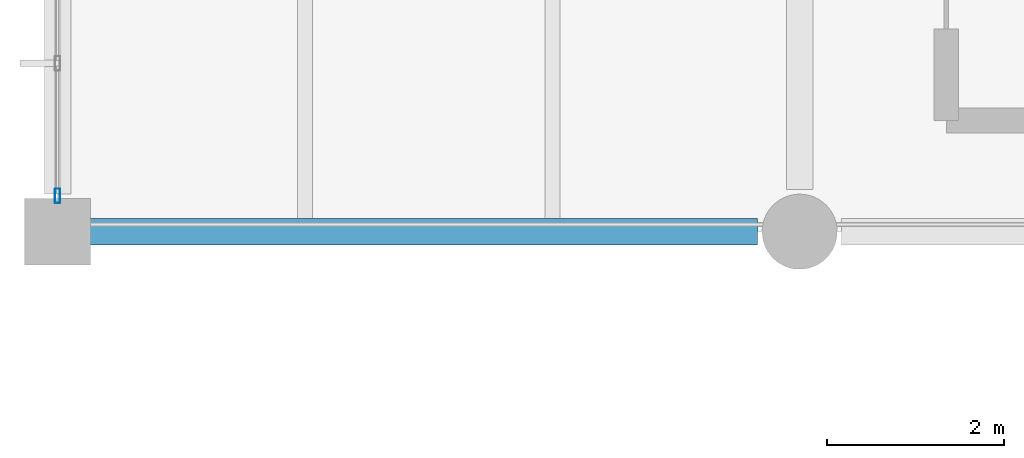
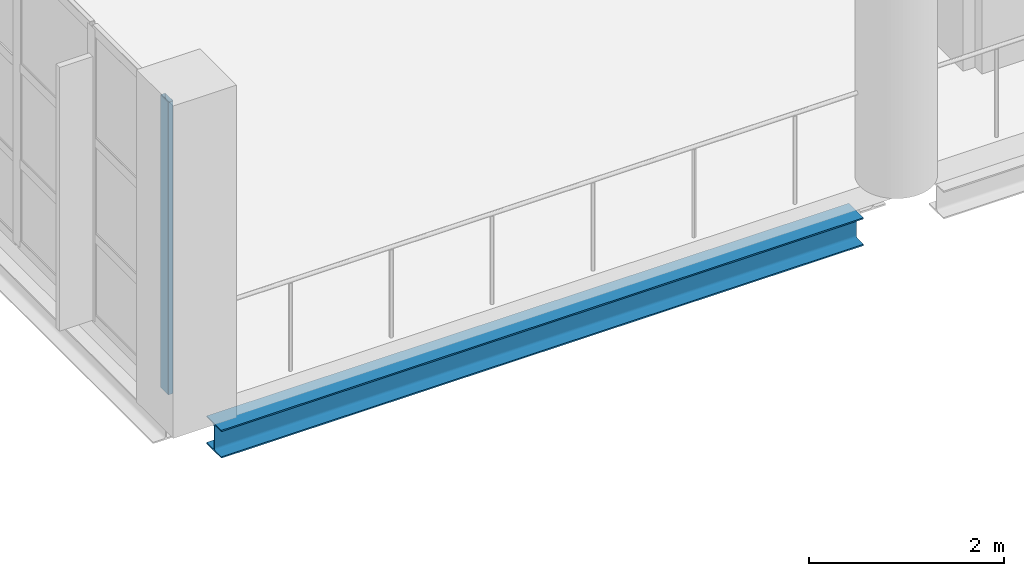
# One storey, part 25 of 177: 1 beam, 1 member, 1 element without a shape of its own.
"""IFC4 building model written with IfcOpenShell, lengths in metres."""

from ifc_helpers import new_model, si_unit, direction, frame, origin, origin_2d, place, context, subcontext, project, spatial, hollow_rectangle, i_section, extrude, material, layer, layer_set, material_profile, profile_set, type_object, element, aggregate, save


model = new_model("IFC4")

# Units and contexts
model_context = context("Model", 3, precision=1e-05, world=origin(), true_north=direction((0.0, 1.0)))
body_context = subcontext(model_context, "Body", "Model", "MODEL_VIEW")
ifc_project = project(units=[si_unit("LENGTHUNIT", "METRE"), si_unit("AREAUNIT", "SQUARE_METRE"), si_unit("VOLUMEUNIT", "CUBIC_METRE"), si_unit("PLANEANGLEUNIT", "RADIAN"), si_unit("MASSUNIT", "GRAM", prefix="KILO"), si_unit("THERMODYNAMICTEMPERATUREUNIT", "KELVIN"), si_unit("POWERUNIT", "WATT")], contexts=[model_context])

# Site, building, storey
site_placement = place(None, origin())
site = spatial("IfcSite", under=ifc_project, at=site_placement, CompositionType="ELEMENT")
building_placement = place(site_placement, origin())
building = spatial("IfcBuilding", under=site, at=building_placement, Name="Mavoryth Pier Ferry Terminal", CompositionType="ELEMENT")
storey_placement = place(building_placement, frame((0.0, 0.0, 5.43994140625)))
storey = spatial("IfcBuildingStorey", under=building, at=storey_placement, Name="L01", CompositionType="ELEMENT", Elevation=5.43994140625)

# Curtain wall, member
ifc_material_1 = material(Name="Anodised Aluminium and Solar-Control Low-E Glass", Category="aluminium")
ifc_layer = layer(ifc_material_1, 0.179931640625, Name="Anodised Aluminium and Solar-Control Low-E Glass", Category="aluminium")
ifc_layer_set = layer_set([ifc_layer], Name="Anodised Aluminium and Solar-Control Low-E Glass - CW-Concourse-Mod1400")
curtain_wall_type = type_object("IfcCurtainWallType", Name="CW-Concourse-Mod1400", PredefinedType="USERDEFINED", material=ifc_layer_set)
curtain_wall_placement = place(storey_placement, origin())
curtain_wall = element("IfcCurtainWall", 1, at=curtain_wall_placement, inside=storey, type_object=curtain_wall_type, Name="Curtain Wall CW-0122-007", ObjectType="UNITISED CURTAIN WALL", PredefinedType="USERDEFINED")
ifc_material_2 = material(Name="Anodised Aluminium EN AW-6063", Category="aluminium")
ifc_material_profile_1 = material_profile(ifc_material_2, hollow_rectangle(XDim=0.06005859375, YDim=0.1650390625, WallThickness=0.00390625, InnerFilletRadius=0.00390625, OuterFilletRadius=0.008056640625, at=origin_2d()), Name="AL-MULL 165x60x4", Category="aluminium")
ifc_profile_set_1 = profile_set([ifc_material_profile_1], Name="Anodised Aluminium EN AW-6063 - AL-MULL 165x60x4")
member_type = type_object("IfcMemberType", Name="Mullion-Alum-165x60", PredefinedType="MULLION", material=ifc_profile_set_1)
member_placement = place(storey_placement, frame((0.0, 47.60498046875, 0.0), z_axis=(0.0, 0.0, 1.0), x_axis=(1.0, 0.0, 0.0)))
member = element("IfcMember", 2, at=member_placement, type_object=member_type, Name="CW01 mullion 6", PredefinedType="MULLION", context=body_context, shape_type="SweptSolid", body=[
    extrude(hollow_rectangle(XDim=0.06005859375, YDim=0.1650390625, WallThickness=0.00390625, InnerFilletRadius=0.00390625, OuterFilletRadius=0.008056640625, at=origin_2d()), origin(), (0.0, 0.0, 1.0), 3.66015625),
])
aggregate(curtain_wall, [member])

# Beam
ifc_material_3 = material(Name="Steel S355J2", Category="steel")
ifc_material_profile_2 = material_profile(ifc_material_3, i_section(OverallWidth=0.300048828125, OverallDepth=0.35009765625, WebThickness=0.010009765625, FlangeThickness=0.017578125, FilletRadius=0.027099609375, at=origin_2d()), Name="HEA 360", Category="steel")
ifc_profile_set_2 = profile_set([ifc_material_profile_2], Name="Steel S355J2 - HEA 360")
beam_type = type_object("IfcBeamType", Name="Spandrel-Steel-HEA360", PredefinedType="SPANDREL", material=ifc_profile_set_2)
beam_placement = place(storey_placement, frame((0.324951171875, 47.199951171875, -0.454833984375), z_axis=(1.0, 0.0, 0.0), x_axis=(0.0, 1.0, 0.0)))
element("IfcBeam", 3, at=beam_placement, inside=storey, type_object=beam_type, Name="Beam B01-SP03-0048", PredefinedType="SPANDREL", context=body_context, shape_type="SweptSolid", body=[
    extrude(i_section(OverallWidth=0.300048828125, OverallDepth=0.35009765625, WebThickness=0.010009765625, FlangeThickness=0.017578125, FilletRadius=0.027099609375, at=origin_2d()), origin(), (0.0, 0.0, 1.0), 7.60009765625),
])

save(model, "model.ifc")
